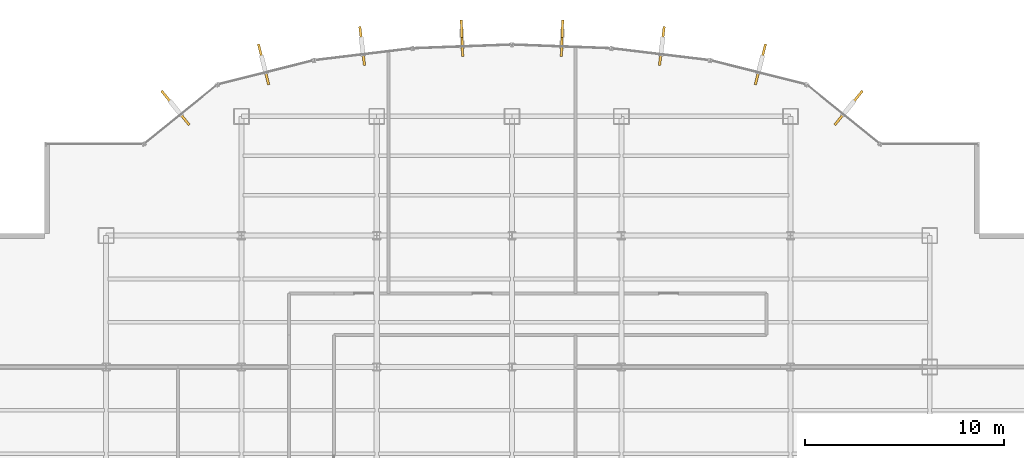
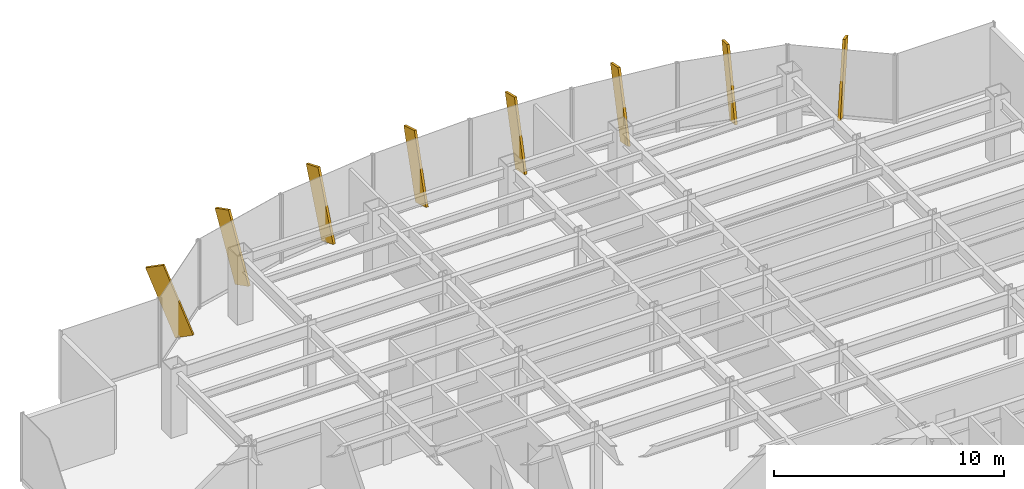
# One storey, part 25 of 26: 8 shading devices.
"""IFC4 building model written with IfcOpenShell, lengths in metres."""

import ifcopenshell
import ifcopenshell.guid

model = None  # the IFC model being written
_history = None  # IfcOwnerHistory: only IFC2X3 demands one
_inside = {}  # id of a spatial element -> (the spatial element, [elements in it])
_under = {}  # id of a project, library or spatial element -> (it, [spatial elements below it])
_declared = {}  # id of a project -> (the project, [libraries it declares])
_typed = {}  # id of a type object -> (the type object, [elements of that type])
_made_of = {}  # id of a material, layer set ... -> (it, [elements and type objects made of it])


def new_model(schema):
    """Start an empty IFC model of exactly this schema.

    Asked for "IFC4X3", IfcOpenShell would pick the latest addendum, in which some entities
    have other attributes; the version numbers below select the first issue.
    IFC2X3 requires an IfcOwnerHistory on every rooted entity: one is made here for all.
    """
    global model, _history
    if schema == "IFC4X3":
        model = ifcopenshell.file(schema_version=(4, 3, 0, 0))
    else:
        model = ifcopenshell.file(schema=schema)
    _inside.clear()
    _under.clear()
    _declared.clear()
    _typed.clear()
    _made_of.clear()
    _history = None
    if model.schema == "IFC2X3":
        org = make("IfcOrganization", Name="unknown")
        user = make(
            "IfcPersonAndOrganization",
            ThePerson=make("IfcPerson", FamilyName="unknown"),
            TheOrganization=org,
        )
        app = make(
            "IfcApplication",
            ApplicationDeveloper=org,
            Version="unknown",
            ApplicationFullName="unknown",
            ApplicationIdentifier="unknown",
        )
        _history = make(
            "IfcOwnerHistory",
            OwningUser=user,
            OwningApplication=app,
            ChangeAction="ADDED",
            CreationDate=0,
        )
    return model


def make(cls, **values):
    """One entity of the class cls with the attributes given. An attribute that is None is left unset."""
    return model.create_entity(
        cls, **{name: value for name, value in values.items() if value is not None}
    )


def rooted(cls, **values):
    """An entity with a GlobalId (a new one), such as an element, a storey or a relation."""
    return make(cls, GlobalId=ifcopenshell.guid.new(), OwnerHistory=_history, **values)


def si_unit(unit_type, name, prefix=None):
    """IfcSIUnit, for example si_unit("LENGTHUNIT", "METRE", prefix="MILLI")."""
    return make("IfcSIUnit", UnitType=unit_type, Prefix=prefix, Name=name)


def derived_unit(unit_type, elements):
    """IfcDerivedUnit: a product of units, each with its exponent."""
    return make(
        "IfcDerivedUnit",
        Elements=[
            make("IfcDerivedUnitElement", Unit=unit, Exponent=power)
            for unit, power in elements
        ],
        UnitType=unit_type,
    )


def assignment(units):
    """IfcUnitAssignment: the units of a project."""
    return None if units is None else make("IfcUnitAssignment", Units=units)


def point(xyz):
    """IfcCartesianPoint."""
    return None if xyz is None else make("IfcCartesianPoint", Coordinates=xyz)


def direction(xyz):
    """IfcDirection."""
    return None if xyz is None else make("IfcDirection", DirectionRatios=xyz)


def frame(location, z_axis=None, x_axis=None):
    """IfcAxis2Placement3D, a coordinate frame: its origin and axes. An axis left out is left unset."""
    return make(
        "IfcAxis2Placement3D",
        Location=point(location),
        Axis=direction(z_axis),
        RefDirection=direction(x_axis),
    )


def frame_2d(location, x_axis=None):
    """IfcAxis2Placement2D, a coordinate frame in the plane: its origin and x axis."""
    return make(
        "IfcAxis2Placement2D", Location=point(location), RefDirection=direction(x_axis)
    )


def origin():
    """The frame at (0, 0, 0) with its axes left unset."""
    return frame((0.0, 0.0, 0.0))


def origin_2d():
    """The frame at (0, 0) in the plane with its x axis left unset."""
    return frame_2d((0.0, 0.0))


def place(relative_to, where):
    """IfcLocalPlacement: puts the frame where relative to a parent placement (None: the world)."""
    return make(
        "IfcLocalPlacement", PlacementRelTo=relative_to, RelativePlacement=where
    )


def context(
    kind, dimensions, precision=None, world=None, true_north=None, identifier=None
):
    """IfcGeometricRepresentationContext, for example the 3D "Model" context."""
    return make(
        "IfcGeometricRepresentationContext",
        ContextIdentifier=identifier,
        ContextType=kind,
        CoordinateSpaceDimension=dimensions,
        Precision=precision,
        WorldCoordinateSystem=world,
        TrueNorth=true_north,
    )


def subcontext(parent, identifier, kind, view, scale=None):
    """IfcGeometricRepresentationSubContext, for example "Body" below "Model"."""
    return make(
        "IfcGeometricRepresentationSubContext",
        ContextIdentifier=identifier,
        ContextType=kind,
        ParentContext=parent,
        TargetScale=scale,
        TargetView=view,
    )


def project(units=None, contexts=None):
    """IfcProject with its units and contexts."""
    return rooted(
        "IfcProject",
        Name="project",
        RepresentationContexts=contexts,
        UnitsInContext=assignment(units),
    )


def spatial(cls, under=None, at=None, **own):
    """A site, building, storey or space (cls), placed at a placement, below another one or the project."""
    s = rooted(cls, ObjectPlacement=at, **own)
    if under is not None:
        _under.setdefault(under.id(), (under, []))[1].append(s)
    return s


def profile(cls, at=None, kind="AREA", **sizes):
    """A parametric profile (cls). Its sizes go by their IFC names, for example OverallWidth=200.0."""
    return make(cls, ProfileType=kind, Position=at, **sizes)


def rectangle(**sizes):
    """IfcRectangleProfileDef."""
    return profile("IfcRectangleProfileDef", **sizes)


def extrude(swept, where, along, depth):
    """IfcExtrudedAreaSolid: the profile swept, set in the frame where, extruded along a direction by depth."""
    return make(
        "IfcExtrudedAreaSolid",
        SweptArea=swept,
        Position=where,
        ExtrudedDirection=direction(along),
        Depth=depth,
    )


def shape(context_of_items, identifier, shape_type, items):
    """IfcShapeRepresentation: the items that make up one representation, for example the "Body"."""
    return make(
        "IfcShapeRepresentation",
        ContextOfItems=context_of_items,
        RepresentationIdentifier=identifier,
        RepresentationType=shape_type,
        Items=items,
    )


def source(mapping_origin, context_of_items, identifier, shape_type, items):
    """IfcRepresentationMap: a shape defined once, which mapped items show again and again."""
    return make(
        "IfcRepresentationMap",
        MappingOrigin=mapping_origin,
        MappedRepresentation=shape(context_of_items, identifier, shape_type, items),
    )


def transform(
    local_origin,
    x_axis=None,
    y_axis=None,
    z_axis=None,
    scale=None,
    scale2=None,
    scale3=None,
    uniform=True,
):
    """IfcCartesianTransformationOperator3D, or its non-uniform kind. x_axis, y_axis, z_axis: its Axis1, 2, 3."""
    if uniform:
        return make(
            "IfcCartesianTransformationOperator3D",
            Axis1=direction(x_axis),
            Axis2=direction(y_axis),
            LocalOrigin=point(local_origin),
            Scale=scale,
            Axis3=direction(z_axis),
        )
    return make(
        "IfcCartesianTransformationOperator3DnonUniform",
        Axis1=direction(x_axis),
        Axis2=direction(y_axis),
        LocalOrigin=point(local_origin),
        Scale=scale,
        Axis3=direction(z_axis),
        Scale2=scale2,
        Scale3=scale3,
    )


def mapped(mapping_source, mapping_target):
    """IfcMappedItem: shows the shape of a source again, moved by a transform."""
    return make(
        "IfcMappedItem", MappingSource=mapping_source, MappingTarget=mapping_target
    )


def material(Name=None, Category=None):
    """IfcMaterial."""
    return make("IfcMaterial", Name=Name, Category=Category)


def made_of(thing, what):
    """Note that an element or type object is made of a material, layer set ...; save() writes the relation."""
    if what is not None:
        _made_of.setdefault(what.id(), (what, []))[1].append(thing)
    return thing


def type_object(cls, material=None, **own):
    """A type object (cls), such as IfcWallType, which elements share."""
    return made_of(rooted(cls, **own), material)


def element(
    cls,
    number,
    at=None,
    inside=None,
    cuts=None,
    type_object=None,
    material=None,
    context=None,
    identifier="Body",
    shape_type=None,
    held_by="IfcProductDefinitionShape",
    body=None,
    shapes=None,
    **own,
):
    """One element of the class cls, such as IfcWall. Its Tag is "e" and its number.

    at: its placement. inside: the storey or other place that contains it. cuts: it is an
    opening in that element (IfcRelVoidsElement). A single representation is given by context,
    identifier, shape_type and body (its items); several are given by shapes. held_by: the class
    of the entity that holds the representations. save() writes the other relations.
    """
    e = rooted(cls, Tag="e%d" % number, ObjectPlacement=at, **own)
    if body is not None:
        shapes = [shape(context, identifier, shape_type, body)]
    if shapes is not None:
        e.Representation = make(held_by, Representations=shapes)
    if inside is not None:
        _inside.setdefault(inside.id(), (inside, []))[1].append(e)
    if cuts is not None:
        rooted(
            "IfcRelVoidsElement", RelatingBuildingElement=cuts, RelatedOpeningElement=e
        )
    if type_object is not None:
        _typed.setdefault(type_object.id(), (type_object, []))[1].append(e)
    return made_of(e, material)


def aggregate(whole, parts):
    """IfcRelAggregates: a whole, such as a stair, and the parts it consists of."""
    return rooted("IfcRelAggregates", RelatingObject=whole, RelatedObjects=parts)


def save(model, path):
    """Write the relations noted so far, then the file.

    IfcRelAggregates (storeys below a building ...), IfcRelContainedInSpatialStructure (elements
    in a storey), IfcRelDefinesByType, IfcRelAssociatesMaterial and IfcRelDeclares: one each for
    every whole, place, type object, material and project.
    """
    for whole, parts in _under.values():
        aggregate(whole, parts)
    for where, things in _inside.values():
        rooted(
            "IfcRelContainedInSpatialStructure",
            RelatedElements=things,
            RelatingStructure=where,
        )
    for kind, things in _typed.values():
        rooted("IfcRelDefinesByType", RelatedObjects=things, RelatingType=kind)
    for what, things in _made_of.values():
        rooted("IfcRelAssociatesMaterial", RelatedObjects=things, RelatingMaterial=what)
    for by, libraries in _declared.values():
        rooted("IfcRelDeclares", RelatingContext=by, RelatedDefinitions=libraries)
    model.write(path)


model = new_model("IFC4")

# Units and contexts
model_context = context("Model", 3, precision=1e-05, world=origin(), true_north=direction((0.0, 1.0)))
body_context = subcontext(model_context, "Body", "Model", "MODEL_VIEW")
ifc_project = project(units=[si_unit("LENGTHUNIT", "METRE"), si_unit("AREAUNIT", "SQUARE_METRE"), si_unit("VOLUMEUNIT", "CUBIC_METRE"), si_unit("PLANEANGLEUNIT", "RADIAN"), si_unit("MASSUNIT", "GRAM", prefix="KILO"), derived_unit("THERMALTRANSMITTANCEUNIT", [(si_unit("POWERUNIT", "WATT"), 1), (si_unit("LENGTHUNIT", "METRE"), -2), (si_unit("THERMODYNAMICTEMPERATUREUNIT", "KELVIN"), -1)])], contexts=[model_context])

# Site, building, storey
site_placement = place(None, origin())
site = spatial("IfcSite", under=ifc_project, at=site_placement, CompositionType="ELEMENT")
building_placement = place(site_placement, origin())
building = spatial("IfcBuilding", under=site, at=building_placement, Name="Skarnbrae Concourse Arena and Tower", CompositionType="ELEMENT")
storey_placement = place(building_placement, frame((0.0, 0.0, 128.800048828125)))
storey = spatial("IfcBuildingStorey", under=building, at=storey_placement, Name="L32", CompositionType="ELEMENT", Elevation=128.800048828125)

# Shading devices
ifc_material = material(Name="Bronze anodised aluminium 6063-T6", Category="aluminium")
shading_device_type = type_object("IfcShadingDeviceType", Name="SHD-BRONZE-FIN-900", PredefinedType="USERDEFINED", material=ifc_material)
shared_shape = source(origin(), body_context, "Body", "SweptSolid", [
    extrude(rectangle(XDim=0.1201171875, YDim=0.89990234375, at=origin_2d()), origin(), (0.0, 0.0, 1.0), 3.64990234375),
])
for number, where, z_axis, x_axis, name in (
    (1, (44.4833984375, 40.28564453125, 0.136962890625), (0.239526668578, 0.294926759827, 0.925010908789), (0.776244501415, -0.630431974144, 0.0), "L32 Outward-leaning bronze shading fin 08"),
    (2, (40.336669921875, 42.40087890625, 0.112060546875), (0.084039023534, 0.334746461808, 0.93855327437), (0.969901771235, -0.243496517748, 0.0), "L32 Outward-leaning bronze shading fin 09"),
    (3, (35.465087890625, 43.37841796875, 0.086669921875), (0.036626580708, 0.302488689745, 0.952448993995), (0.992748952377, -0.120206146079, 0.0), "L32 Outward-leaning bronze shading fin 10"),
    (4, (30.497314453125, 43.846923828125, 0.064208984375), (0.00978065579, 0.262849307687, 0.964787323829), (0.999308421355, -0.037184392011, 0.0), "L32 Outward-leaning bronze shading fin 11"),
    (5, (25.502685546875, 43.846923828125, 0.064208984375), (-0.00978065579, 0.262849307687, 0.964787323829), (0.999308421355, 0.037184392011, 0.0), "L32 Outward-leaning bronze shading fin 12"),
    (6, (20.534912109375, 43.37841796875, 0.086669921875), (-0.036626580708, 0.302488689745, 0.952448993995), (0.992748952377, 0.120206146079, 0.0), "L32 Outward-leaning bronze shading fin 13"),
    (7, (15.663330078125, 42.40087890625, 0.112060546875), (-0.084039023534, 0.334746461808, 0.93855327437), (0.969901771235, 0.243496517748, 0.0), "L32 Outward-leaning bronze shading fin 14"),
    (8, (11.5166015625, 40.28564453125, 0.136962890625), (-0.239526668578, 0.294926759827, 0.925010908789), (0.776244501415, 0.630431974144, 0.0), "L32 Outward-leaning bronze shading fin 15"),
):
    element("IfcShadingDevice", number, at=place(storey_placement, frame(where, z_axis=z_axis, x_axis=x_axis)), inside=storey, type_object=shading_device_type, Name=name, ObjectType="FIN", PredefinedType="USERDEFINED", context=body_context, shape_type="MappedRepresentation", body=[
        mapped(shared_shape, transform((0.0, 0.0, 0.0))),
    ])

save(model, "model.ifc")
